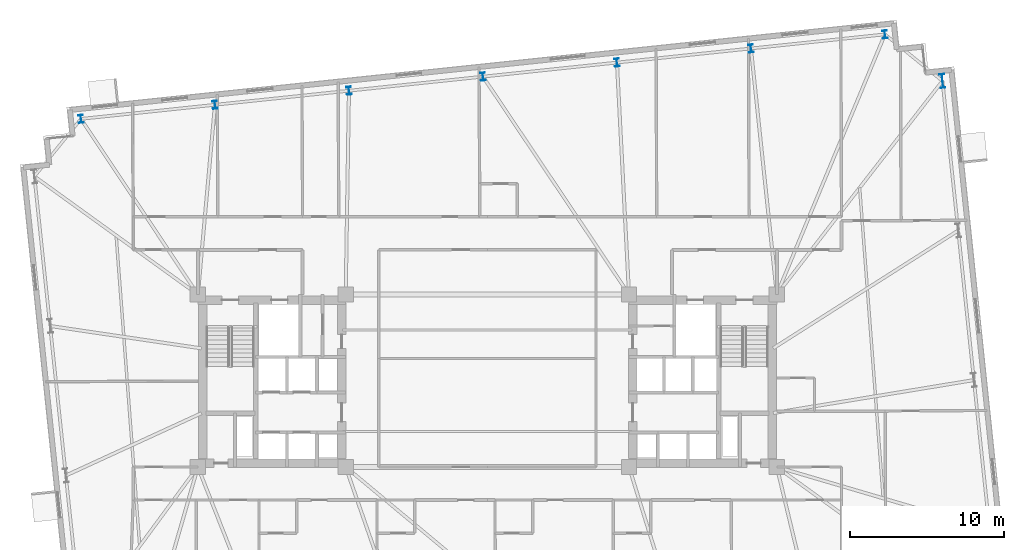
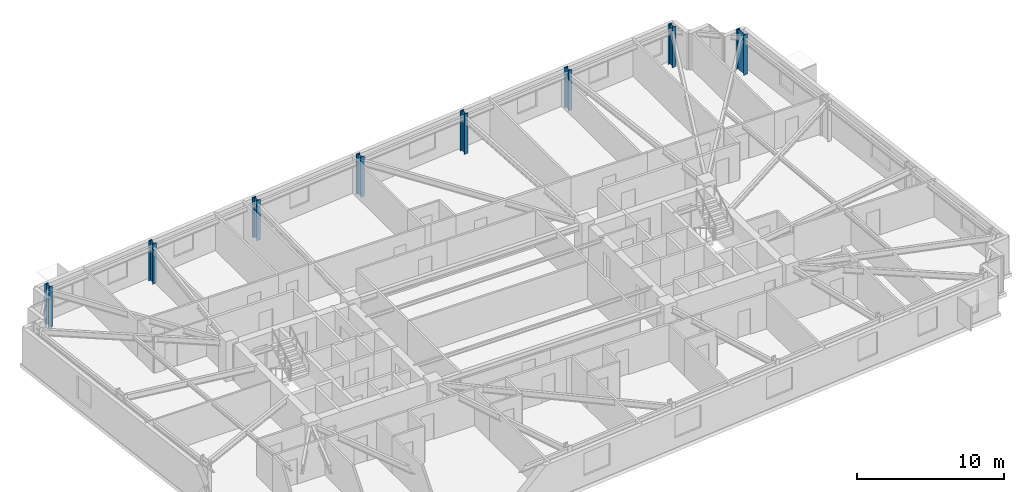
# One storey, part 3 of 18: 8 columns.
"""IFC4 building model written with IfcOpenShell, lengths in metres."""

from ifc_helpers import new_model, si_unit, direction, frame, origin, origin_2d, place, context, subcontext, project, spatial, i_section, extrude, material, material_profile, profile_set, type_object, element, save


model = new_model("IFC4")

# Units and contexts
model_context = context("Model", 3, precision=1e-05, world=origin(), true_north=direction((0.0, 1.0)))
body_context = subcontext(model_context, "Body", "Model", "MODEL_VIEW")
ifc_project = project(units=[si_unit("LENGTHUNIT", "METRE"), si_unit("AREAUNIT", "SQUARE_METRE"), si_unit("VOLUMEUNIT", "CUBIC_METRE"), si_unit("PLANEANGLEUNIT", "RADIAN"), si_unit("MASSUNIT", "GRAM", prefix="KILO")], contexts=[model_context])

# Site, building, storey
site_placement = place(None, origin())
site = spatial("IfcSite", under=ifc_project, at=site_placement, CompositionType="ELEMENT")
building_placement = place(site_placement, origin())
building = spatial("IfcBuilding", under=site, at=building_placement, Name="Qobustan Lattice House", CompositionType="ELEMENT")
storey_placement = place(building_placement, frame((0.0, 0.0, 92.39990234375)))
storey = spatial("IfcBuildingStorey", under=building, at=storey_placement, Name="L25", CompositionType="ELEMENT", Elevation=92.39990234375)

# Columns
ifc_material_1 = material(Name="Steel S355", Category="steel")
ifc_material_profile_1 = material_profile(ifc_material_1, i_section(OverallWidth=0.300048828125, OverallDepth=0.89990234375, WebThickness=0.0185546875, FlangeThickness=0.034912109375, FilletRadius=0.030029296875, at=origin_2d()), Name="HEB900")
ifc_profile_set_1 = profile_set([ifc_material_profile_1], Name="Steel S355")
column_type_1 = type_object("IfcColumnType", Name="COL-ST-HEB900", PredefinedType="COLUMN", material=ifc_profile_set_1)
column_placement = place(storey_placement, frame((29.55615234375, 19.468994140625, 0.0), z_axis=(0.0, 0.0, 1.0), x_axis=(0.994521895368, 0.104528463268, 0.0)))
element("IfcColumn", 1, at=column_placement, inside=storey, type_object=column_type_1, Name="L25 B2 perimeter column E4", PredefinedType="COLUMN", context=body_context, shape_type="SweptSolid", body=[
    extrude(i_section(OverallWidth=0.300048828125, OverallDepth=0.89990234375, WebThickness=0.0185546875, FlangeThickness=0.034912109375, FilletRadius=0.030029296875, at=origin_2d()), origin(), (0.0, 0.0, 1.0), 3.35009765625),
])
ifc_material_2 = material(Name="Steel S355", Category="steel")
ifc_material_profile_2 = material_profile(ifc_material_2, i_section(OverallWidth=0.305908203125, OverallDepth=0.52392578125, WebThickness=0.02099609375, FlangeThickness=0.0400390625, FilletRadius=0.027099609375, at=origin_2d()), Name="HEM500")
ifc_profile_set_2 = profile_set([ifc_material_profile_2], Name="Steel S355")
column_type_2 = type_object("IfcColumnType", Name="COL-ST-HEM500", PredefinedType="COLUMN", material=ifc_profile_set_2)
for number, where, z_axis, x_axis, name in (
    (2, (25.819580078125, 22.4951171875, 0.0), (0.0, 0.0, 1.0), (0.994521895368, 0.104528463268, 0.0), "L25 B2 perimeter column N1"),
    (3, (17.117431640625, 21.580322265625, 0.0), (0.0, 0.0, 1.0), (0.994521895368, 0.104528463268, 0.0), "L25 B2 perimeter column N2"),
    (4, (8.415283203125, 20.665771484375, 0.0), (0.0, 0.0, 1.0), (0.994521895368, 0.104528463268, 0.0), "L25 B2 perimeter column N3"),
    (5, (-0.28662109375, 19.751220703125, 0.0), (0.0, 0.0, 1.0), (0.994521895368, 0.104528463268, 0.0), "L25 B2 perimeter column N4"),
    (6, (-8.98876953125, 18.83642578125, 0.0), (0.0, 0.0, 1.0), (0.994521895368, 0.104528463268, 0.0), "L25 B2 perimeter column N5"),
    (7, (-17.69091796875, 17.921875, 0.0), (0.0, 0.0, 1.0), (0.994521895368, 0.104528463268, 0.0), "L25 B2 perimeter column N6"),
    (8, (-26.392822265625, 17.007080078125, 0.0), (0.0, 0.0, 1.0), (0.994521895368, 0.104528463268, 0.0), "L25 B2 perimeter column N7"),
):
    element("IfcColumn", number, at=place(storey_placement, frame(where, z_axis=z_axis, x_axis=x_axis)), inside=storey, type_object=column_type_2, Name=name, PredefinedType="COLUMN", context=body_context, shape_type="SweptSolid", body=[
        extrude(i_section(OverallWidth=0.305908203125, OverallDepth=0.52392578125, WebThickness=0.02099609375, FlangeThickness=0.0400390625, FilletRadius=0.027099609375, at=origin_2d()), origin(), (0.0, 0.0, 1.0), 3.35009765625),
    ])

save(model, "model.ifc")
